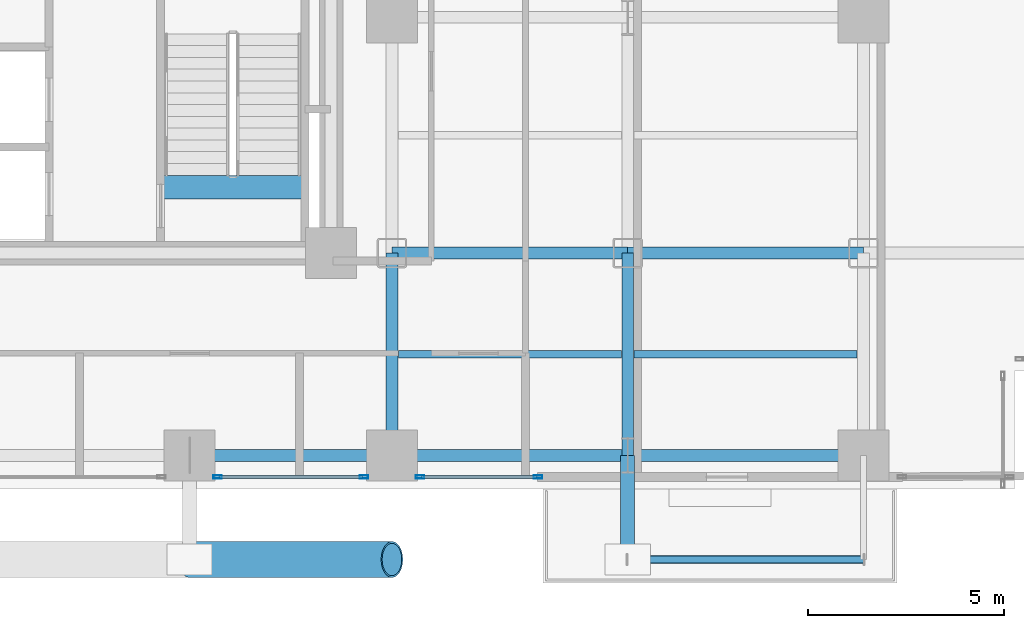
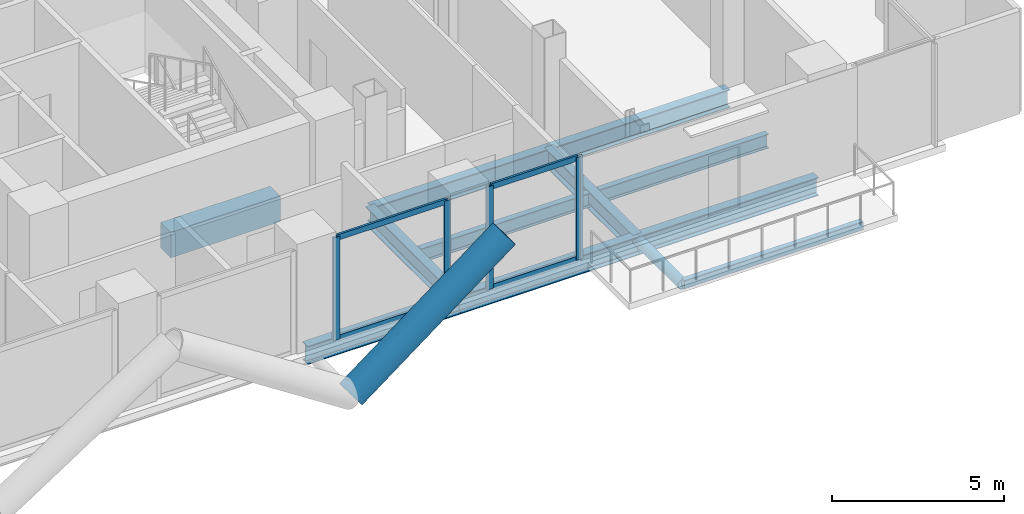
# One storey, part 8 of 27: 11 beams, 10 members, 2 elements without a shape of their own.
"""IFC4 building model written with IfcOpenShell, lengths in metres."""

from ifc_helpers import new_model, si_unit, direction, frame, origin, origin_2d, place, context, subcontext, project, spatial, rectangle, hollow_rectangle, hollow_circle, i_section, extrude, material, layer, layer_set, material_profile, profile_set, type_object, element, aggregate, save


model = new_model("IFC4")

# Units and contexts
model_context = context("Model", 3, precision=1e-05, world=origin(), true_north=direction((0.0, 1.0)))
body_context = subcontext(model_context, "Body", "Model", "MODEL_VIEW")
ifc_project = project(units=[si_unit("LENGTHUNIT", "METRE"), si_unit("AREAUNIT", "SQUARE_METRE"), si_unit("VOLUMEUNIT", "CUBIC_METRE"), si_unit("PLANEANGLEUNIT", "RADIAN"), si_unit("MASSUNIT", "GRAM", prefix="KILO"), si_unit("THERMODYNAMICTEMPERATUREUNIT", "KELVIN"), si_unit("POWERUNIT", "WATT")], contexts=[model_context])

# Site, building, storey
site_placement = place(None, origin())
site = spatial("IfcSite", under=ifc_project, at=site_placement, CompositionType="ELEMENT")
building_placement = place(site_placement, origin())
building = spatial("IfcBuilding", under=site, at=building_placement, Name="Svarakhadi Broadcast Tower", CompositionType="ELEMENT")
storey_placement = place(building_placement, frame((0.0, 0.0, 71.39990234375)))
storey = spatial("IfcBuildingStorey", under=building, at=storey_placement, Name="L16", CompositionType="ELEMENT", Elevation=71.39990234375)

# Beams
ifc_material_1 = material(Name="Steel S355J2 (IS 2062 E350C)", Category="steel")
ifc_material_profile_1 = material_profile(ifc_material_1, i_section(OverallWidth=0.199951171875, OverallDepth=0.5, WebThickness=0.01025390625, FlangeThickness=0.01611328125, FilletRadius=0.02099609375, at=origin_2d()), Name="NPB 500x200x91")
ifc_profile_set_1 = profile_set([ifc_material_profile_1], Name="Steel S355J2 (IS 2062 E350C)")
beam_type_1 = type_object("IfcBeamType", Name="Beam_NPB500", PredefinedType="BEAM", material=ifc_profile_set_1)
for number, where, z_axis, x_axis, name in (
    (1, (35.31005859375, 3.425048828125, -0.5), (1.0, 0.0, 0.0), (0.0, 1.0, 0.0), "L16 Secondary Composite Beam SB022"),
    (2, (41.31005859375, 3.425048828125, -0.5), (1.0, 0.0, 0.0), (0.0, 1.0, 0.0), "L16 Secondary Composite Beam SB025"),
):
    element("IfcBeam", number, at=place(storey_placement, frame(where, z_axis=z_axis, x_axis=x_axis)), inside=storey, type_object=beam_type_1, Name=name, PredefinedType="BEAM", context=body_context, shape_type="SweptSolid", body=[
        extrude(i_section(OverallWidth=0.199951171875, OverallDepth=0.5, WebThickness=0.01025390625, FlangeThickness=0.01611328125, FilletRadius=0.02099609375, at=origin_2d()), origin(), (0.0, 0.0, 1.0), 5.679931640625),
    ])

# Curtain wall, members
ifc_material_2 = material(Name="Anodised Bronze Aluminium AA 6063-T6", Category="aluminium")
ifc_layer = layer(ifc_material_2, 0.219970703125)
ifc_layer_set = layer_set([ifc_layer], Name="Anodised Bronze Aluminium AA 6063-T6")
curtain_wall_type = type_object("IfcCurtainWallType", Name="CW_Sys_02", PredefinedType="NOTDEFINED", material=ifc_layer_set)
curtain_wall_1_placement = place(storey_placement, origin())
curtain_wall_1 = element("IfcCurtainWall", 3, at=curtain_wall_1_placement, inside=storey, type_object=curtain_wall_type, Name="L16 South Curtain Wall 17 Bay 1", PredefinedType="NOTDEFINED")
ifc_material_profile_2 = material_profile(ifc_material_2, hollow_rectangle(XDim=0.0849609375, YDim=0.219970703125, WallThickness=0.006103515625, at=origin_2d()), Name="ALU MULLION 220x85x6")
ifc_profile_set_2 = profile_set([ifc_material_profile_2], Name="Anodised Bronze Aluminium AA 6063-T6")
member_type_1 = type_object("IfcMemberType", Name="CW_Sys_02_Mul", PredefinedType="MULLION", material=ifc_profile_set_2)
member_1_placement = place(storey_placement, frame((38.867431640625, 0.300048828125, 0.0), z_axis=(0.0, 0.0, 1.0), x_axis=(0.0, -1.0, 0.0)))
member_1 = element("IfcMember", 4, at=member_1_placement, type_object=member_type_1, Name="CW-02 mullion 1", PredefinedType="MULLION", context=body_context, shape_type="SweptSolid", body=[
    extrude(hollow_rectangle(XDim=0.0849609375, YDim=0.219970703125, WallThickness=0.006103515625, at=origin_2d()), origin(), (0.0, 0.0, 1.0), 3.650146484375),
])
member_2_placement = place(storey_placement, frame((35.862548828125, 0.300048828125, 0.0), z_axis=(0.0, 0.0, 1.0), x_axis=(0.0, -1.0, 0.0)))
member_2 = element("IfcMember", 5, at=member_2_placement, type_object=member_type_1, Name="CW-02 mullion 2", PredefinedType="MULLION", context=body_context, shape_type="SweptSolid", body=[
    extrude(hollow_rectangle(XDim=0.0849609375, YDim=0.219970703125, WallThickness=0.006103515625, at=origin_2d()), origin(), (0.0, 0.0, 1.0), 3.650146484375),
])

curtain_wall_2_placement = place(storey_placement, origin())
curtain_wall_2 = element("IfcCurtainWall", 6, at=curtain_wall_2_placement, inside=storey, type_object=curtain_wall_type, Name="L16 South Curtain Wall 17 Bay 2", PredefinedType="NOTDEFINED")
member_3_placement = place(storey_placement, frame((34.4375, 0.300048828125, 0.0), z_axis=(0.0, 0.0, 1.0), x_axis=(0.0, -1.0, 0.0)))
member_3 = element("IfcMember", 7, at=member_3_placement, type_object=member_type_1, Name="CW-02 mullion 1", PredefinedType="MULLION", context=body_context, shape_type="SweptSolid", body=[
    extrude(hollow_rectangle(XDim=0.0849609375, YDim=0.219970703125, WallThickness=0.006103515625, at=origin_2d()), origin(), (0.0, 0.0, 1.0), 3.650146484375),
])
member_4_placement = place(storey_placement, frame((30.71240234375, 0.300048828125, 0.0), z_axis=(0.0, 0.0, 1.0), x_axis=(0.0, -1.0, 0.0)))
member_4 = element("IfcMember", 8, at=member_4_placement, type_object=member_type_1, Name="CW-02 mullion 2", PredefinedType="MULLION", context=body_context, shape_type="SweptSolid", body=[
    extrude(hollow_rectangle(XDim=0.0849609375, YDim=0.219970703125, WallThickness=0.006103515625, at=origin_2d()), origin(), (0.0, 0.0, 1.0), 3.650146484375),
])

# Member
ifc_material_profile_3 = material_profile(ifc_material_2, hollow_rectangle(XDim=0.074951171875, YDim=0.199951171875, WallThickness=0.0048828125, at=origin_2d()), Name="ALU TRANSOM 200x75x5")
ifc_profile_set_3 = profile_set([ifc_material_profile_3], Name="Anodised Bronze Aluminium AA 6063-T6")
member_type_2 = type_object("IfcMemberType", Name="CW_Sys_02_Trn", PredefinedType="USERDEFINED", material=ifc_profile_set_3)
member_5_placement = place(storey_placement, frame((38.824951171875, 0.300048828125, 0.03759765625), z_axis=(-1.0, 0.0, 0.0), x_axis=(0.0, -1.0, 0.0)))
member_5 = element("IfcMember", 9, at=member_5_placement, type_object=member_type_2, Name="CW-02 transom 1.1", ObjectType="TRANSOM", PredefinedType="USERDEFINED", context=body_context, shape_type="SweptSolid", body=[
    extrude(hollow_rectangle(XDim=0.074951171875, YDim=0.199951171875, WallThickness=0.0048828125, at=origin_2d()), origin(), (0.0, 0.0, 1.0), 2.919921875),
])

member_6_placement = place(storey_placement, frame((38.824951171875, 0.300048828125, 3.612548828125), z_axis=(-1.0, 0.0, 0.0), x_axis=(0.0, -1.0, 0.0)))
member_6 = element("IfcMember", 10, at=member_6_placement, type_object=member_type_2, Name="CW-02 transom 1.2", ObjectType="TRANSOM", PredefinedType="USERDEFINED", context=body_context, shape_type="SweptSolid", body=[
    extrude(hollow_rectangle(XDim=0.074951171875, YDim=0.199951171875, WallThickness=0.0048828125, at=origin_2d()), origin(), (0.0, 0.0, 1.0), 2.919921875),
])

aggregate(curtain_wall_1, [member_1, member_2, member_5, member_6])

member_7_placement = place(storey_placement, frame((34.39501953125, 0.300048828125, 0.03759765625), z_axis=(-1.0, 0.0, 0.0), x_axis=(0.0, -1.0, 0.0)))
member_7 = element("IfcMember", 11, at=member_7_placement, type_object=member_type_2, Name="CW-02 transom 1.1", ObjectType="TRANSOM", PredefinedType="USERDEFINED", context=body_context, shape_type="SweptSolid", body=[
    extrude(hollow_rectangle(XDim=0.074951171875, YDim=0.199951171875, WallThickness=0.0048828125, at=origin_2d()), origin(), (0.0, 0.0, 1.0), 3.64013671875),
])

member_8_placement = place(storey_placement, frame((34.39501953125, 0.300048828125, 3.612548828125), z_axis=(-1.0, 0.0, 0.0), x_axis=(0.0, -1.0, 0.0)))
member_8 = element("IfcMember", 12, at=member_8_placement, type_object=member_type_2, Name="CW-02 transom 1.2", ObjectType="TRANSOM", PredefinedType="USERDEFINED", context=body_context, shape_type="SweptSolid", body=[
    extrude(hollow_rectangle(XDim=0.074951171875, YDim=0.199951171875, WallThickness=0.0048828125, at=origin_2d()), origin(), (0.0, 0.0, 1.0), 3.64013671875),
])

aggregate(curtain_wall_2, [member_3, member_4, member_7, member_8])

# Beam
ifc_material_3 = material(Name="Concrete C50/60 (IS 456 M60)", Category="concrete")
ifc_material_profile_4 = material_profile(ifc_material_3, rectangle(XDim=0.60009765625, YDim=0.89990234375, at=origin_2d()), Name="RC 600x900")
ifc_profile_set_4 = profile_set([ifc_material_profile_4], Name="Concrete C50/60 (IS 456 M60)")
beam_type_2 = type_object("IfcBeamType", Name="Coupling_RC600", PredefinedType="USERDEFINED", material=ifc_profile_set_4)
beam_1_placement = place(storey_placement, frame((29.260009765625, 7.679931640625, -0.449951171875), z_axis=(1.0, 0.0, 0.0), x_axis=(0.0, 1.0, 0.0)))
element("IfcBeam", 13, at=beam_1_placement, inside=storey, type_object=beam_type_2, Name="L16 Stair ST-02 Landing Throat Trimmer Beam CB-01", ObjectType="GIRDER", PredefinedType="USERDEFINED", context=body_context, shape_type="SweptSolid", body=[
    extrude(rectangle(XDim=0.60009765625, YDim=0.89990234375, at=origin_2d()), origin(), (0.0, 0.0, 1.0), 3.679931640625),
])

# Members
ifc_material_4 = material(Name="Steel S460ML (IS 2062 E450BR)", Category="steel")
ifc_material_profile_5 = material_profile(ifc_material_4, hollow_circle(Radius=0.45703125, WallThickness=0.044921875, at=origin_2d()), Name="CHS 914x45")
ifc_profile_set_5 = profile_set([ifc_material_profile_5], Name="Steel S460ML (IS 2062 E450BR)")
member_type_3 = type_object("IfcMemberType", Name="Exo_Brace_CHS914", PredefinedType="BRACE", material=ifc_profile_set_5)
member_9_placement = place(storey_placement, frame((30.0, -1.800048828125, -0.427734375), z_axis=(0.797188602897, 0.0, 0.603730346605), x_axis=(0.0, 1.0, 0.0)))
element("IfcMember", 14, at=member_9_placement, inside=storey, type_object=member_type_3, Name="L16 Exposed Bronze Exoskeleton Diagonal S05", PredefinedType="BRACE", context=body_context, shape_type="SweptSolid", body=[
    extrude(hollow_circle(Radius=0.45703125, WallThickness=0.044921875, at=origin_2d()), origin(), (0.0, 0.0, 1.0), 6.4599609375),
])
ifc_material_profile_6 = material_profile(ifc_material_4, hollow_circle(Radius=0.177734375, WallThickness=0.02001953125, at=origin_2d()), Name="CHS 355.6x20")
ifc_profile_set_6 = profile_set([ifc_material_profile_6], Name="Steel S460ML (IS 2062 E450BR)")
member_type_4 = type_object("IfcMemberType", Name="Exo_Radial_Strut_Z1", PredefinedType="STRUT", material=ifc_profile_set_6)
member_10_placement = place(storey_placement, frame((41.14990234375, -1.800048828125, -0.427734375), z_axis=(0.0, 1.0, 0.0), x_axis=(-1.0, 0.0, 0.0)))
element("IfcMember", 15, at=member_10_placement, inside=storey, type_object=member_type_4, Name="L16 Exoskeleton Radial Tie Strut S04", PredefinedType="STRUT", context=body_context, shape_type="SweptSolid", body=[
    extrude(hollow_circle(Radius=0.177734375, WallThickness=0.02001953125, at=origin_2d()), origin(), (0.0, 0.0, 1.0), 2.650146484375),
])

# Beams
ifc_material_profile_7 = material_profile(ifc_material_1, i_section(OverallWidth=0.300048828125, OverallDepth=0.64990234375, WebThickness=0.01611328125, FlangeThickness=0.031005859375, FilletRadius=0.027099609375, at=origin_2d()), Name="WPB 650x300x225")
ifc_profile_set_7 = profile_set([ifc_material_profile_7], Name="Steel S355J2 (IS 2062 E350C)")
beam_type_3 = type_object("IfcBeamType", Name="Girder_WPB650", PredefinedType="USERDEFINED", material=ifc_profile_set_7)
beam_2_placement = place(storey_placement, frame((30.0, 0.85009765625, -0.574951171875), z_axis=(1.0, 0.0, 0.0), x_axis=(0.0, 1.0, 0.0)))
element("IfcBeam", 16, at=beam_2_placement, inside=storey, type_object=beam_type_3, Name="L16 Primary E-W Girder G008", ObjectType="GIRDER", PredefinedType="USERDEFINED", context=body_context, shape_type="SweptSolid", body=[
    extrude(i_section(OverallWidth=0.300048828125, OverallDepth=0.64990234375, WebThickness=0.01611328125, FlangeThickness=0.031005859375, FilletRadius=0.027099609375, at=origin_2d()), origin(), (0.0, 0.0, 1.0), 5.14990234375),
])
for number, where, z_axis, x_axis, name in (
    (17, (35.14990234375, 0.85009765625, -0.574951171875), (1.0, 0.0, 0.0), (0.0, 1.0, 0.0), "L16 Primary E-W Girder G009"),
    (18, (41.14990234375, 0.85009765625, -0.574951171875), (1.0, 0.0, 0.0), (0.0, 1.0, 0.0), "L16 Primary E-W Girder G010"),
    (19, (35.14990234375, 6.0, -0.574951171875), (1.0, 0.0, 0.0), (0.0, 1.0, 0.0), "L16 Primary E-W Girder G016"),
    (20, (41.14990234375, 6.0, -0.574951171875), (1.0, 0.0, 0.0), (0.0, 1.0, 0.0), "L16 Primary E-W Girder G017"),
):
    element("IfcBeam", number, at=place(storey_placement, frame(where, z_axis=z_axis, x_axis=x_axis)), inside=storey, type_object=beam_type_3, Name=name, ObjectType="GIRDER", PredefinedType="USERDEFINED", context=body_context, shape_type="SweptSolid", body=[
        extrude(i_section(OverallWidth=0.300048828125, OverallDepth=0.64990234375, WebThickness=0.01611328125, FlangeThickness=0.031005859375, FilletRadius=0.027099609375, at=origin_2d()), origin(), (0.0, 0.0, 1.0), 6.0),
    ])
for number, where, z_axis, x_axis, name in (
    (21, (35.14990234375, 0.85009765625, -0.574951171875), (0.0, 1.0, 0.0), (-1.0, 0.0, 0.0), "L16 Primary N-S Girder G076"),
    (22, (41.14990234375, 0.85009765625, -0.574951171875), (0.0, 1.0, 0.0), (-1.0, 0.0, 0.0), "L16 Primary N-S Girder G079"),
):
    element("IfcBeam", number, at=place(storey_placement, frame(where, z_axis=z_axis, x_axis=x_axis)), inside=storey, type_object=beam_type_3, Name=name, ObjectType="GIRDER", PredefinedType="USERDEFINED", context=body_context, shape_type="SweptSolid", body=[
        extrude(i_section(OverallWidth=0.300048828125, OverallDepth=0.64990234375, WebThickness=0.01611328125, FlangeThickness=0.031005859375, FilletRadius=0.027099609375, at=origin_2d()), origin(), (0.0, 0.0, 1.0), 5.14990234375),
    ])
ifc_material_profile_8 = material_profile(ifc_material_4, hollow_rectangle(XDim=0.199951171875, YDim=0.300048828125, WallThickness=0.012451171875, InnerFilletRadius=0.012451171875, OuterFilletRadius=0.02490234375, at=origin_2d()), Name="RHS 300x200x12.5")
ifc_profile_set_8 = profile_set([ifc_material_profile_8], Name="Steel S460ML (IS 2062 E450BR)")
beam_type_4 = type_object("IfcBeamType", Name="Spandrel_RHS300", PredefinedType="SPANDREL", material=ifc_profile_set_8)
beam_3_placement = place(storey_placement, frame((41.14990234375, -1.800048828125, -0.39990234375), z_axis=(1.0, 0.0, 0.0), x_axis=(0.0, 1.0, 0.0)))
element("IfcBeam", 23, at=beam_3_placement, inside=storey, type_object=beam_type_4, Name="L16 Balcony Outer Spandrel 1F", PredefinedType="SPANDREL", context=body_context, shape_type="SweptSolid", body=[
    extrude(hollow_rectangle(XDim=0.199951171875, YDim=0.300048828125, WallThickness=0.012451171875, InnerFilletRadius=0.012451171875, OuterFilletRadius=0.02490234375, at=origin_2d()), origin(), (0.0, 0.0, 1.0), 6.0),
])

save(model, "model.ifc")
